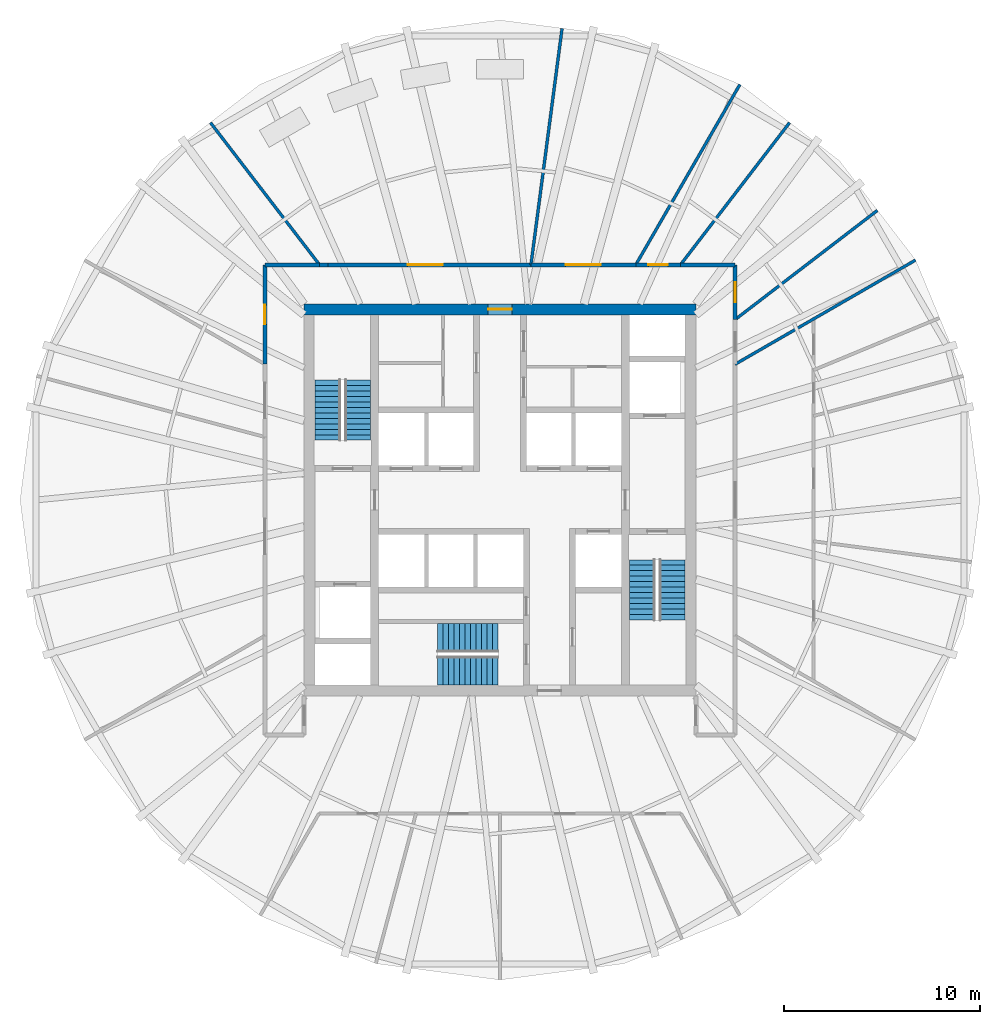
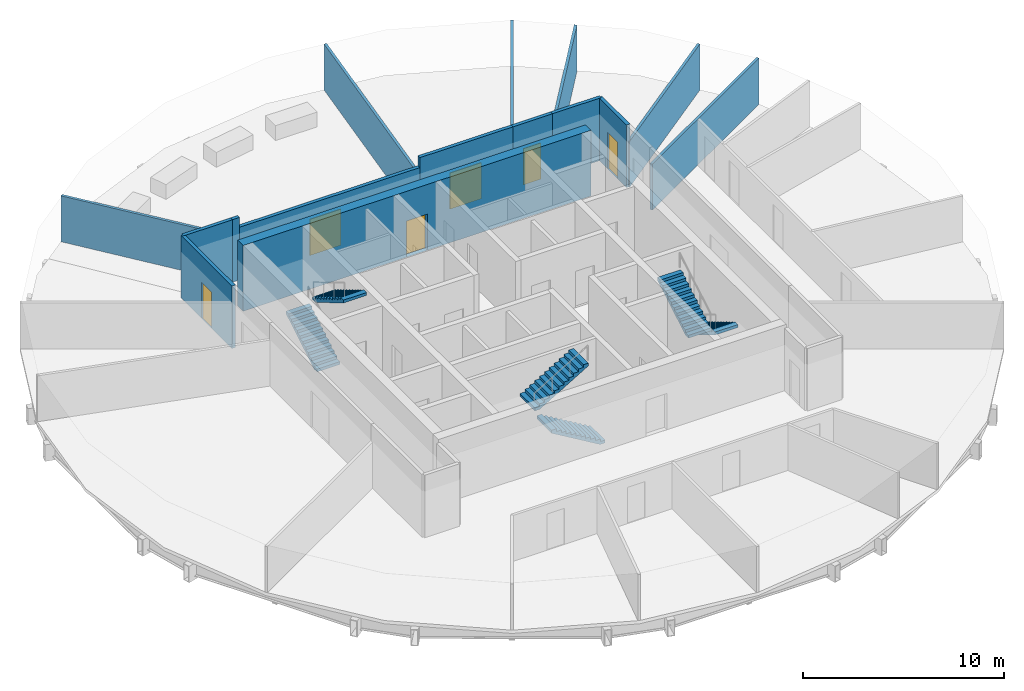
# One storey, part 5 of 7: 15 walls, 6 doors, 6 stair flights, 6 openings, 3 elements without a shape of their own.
"""IFC4 building model written with IfcOpenShell, lengths in metres."""

from ifc_helpers import new_model, si_unit, direction, frame, frame_2d, origin, place, context, subcontext, project, spatial, polyline, rectangle, outline, extrude, material, layer, layer_set, type_object, element, fill, aggregate, save


model = new_model("IFC4")

# Units and contexts
model_context = context("Model", 3, precision=1e-05, world=origin(), true_north=direction((0.0, 1.0)))
body_context = subcontext(model_context, "Body", "Model", "MODEL_VIEW")
ifc_project = project(units=[si_unit("LENGTHUNIT", "METRE"), si_unit("AREAUNIT", "SQUARE_METRE"), si_unit("VOLUMEUNIT", "CUBIC_METRE"), si_unit("PLANEANGLEUNIT", "RADIAN"), si_unit("MASSUNIT", "GRAM", prefix="KILO")], contexts=[model_context])

# Site, building, storey
site_placement = place(None, origin())
site = spatial("IfcSite", under=ifc_project, at=site_placement, CompositionType="ELEMENT")
building_placement = place(site_placement, origin())
building = spatial("IfcBuilding", under=site, at=building_placement, Name="Golbaran Civic Tower", CompositionType="ELEMENT")
storey_placement = place(building_placement, frame((0.0, 0.0, 106.0)))
storey = spatial("IfcBuildingStorey", under=building, at=storey_placement, Name="L25", CompositionType="ELEMENT", Elevation=106.0)

# Wall, opening, door
ifc_material_1 = material(Name="Concrete C50/60", Category="concrete")
ifc_layer_1 = layer(ifc_material_1, 0.550048828125, Name="Concrete C50/60")
ifc_layer_set_1 = layer_set([ifc_layer_1], Name="Concrete C50/60")
wall_type_1 = type_object("IfcWallType", Name="CORE WALL CONCRETE 550", PredefinedType="SOLIDWALL", material=ifc_layer_set_1)
wall_1_placement = place(storey_placement, frame((-10.0, 9.72509765625, 0.0), z_axis=(0.0, 0.0, 1.0), x_axis=(1.0, 0.0, 0.0)))
wall_1 = element("IfcWall", 1, at=wall_1_placement, inside=storey, type_object=wall_type_1, Name="Core wall CN L25", PredefinedType="SOLIDWALL", context=body_context, shape_type="SweptSolid", body=[
    extrude(rectangle(XDim=20.0, YDim=0.550048828125, at=frame_2d((10.0, 0.0))), origin(), (0.0, 0.0, 1.0), 4.0),
])
opening_1_placement = place(wall_1_placement, frame((9.39990234375, 0.0, 0.0)))
opening_1 = element("IfcOpeningElement", 2, at=opening_1_placement, cuts=wall_1, Name="Opening L25.CN", PredefinedType="OPENING", context=body_context, shape_type="SweptSolid", body=[
    extrude(rectangle(XDim=1.199951171875, YDim=2.199951171875, at=frame_2d((0.60009765625, 1.10009765625))), frame((0.0, 0.284912109375, 0.0), z_axis=(0.0, -1.0, 0.0), x_axis=(1.0, 0.0, 0.0)), (0.0, 0.0, 1.0), 0.570068359375),
])
ifc_material_2 = material(Name="Timber door set in steel frame", Category="steel")
door_type_1 = type_object("IfcDoorType", Name="CORE DOOR 1200x2200", OperationType="DOUBLE_DOOR_SINGLE_SWING", PredefinedType="DOOR", material=ifc_material_2)
door_1_placement = place(opening_1_placement, origin())
door_1 = element("IfcDoor", 3, at=door_1_placement, inside=storey, type_object=door_type_1, Name="Core door north", OperationType="DOUBLE_DOOR_SINGLE_SWING", OverallHeight=2.199951171875, OverallWidth=1.199951171875, PredefinedType="DOOR", context=body_context, shape_type="SweptSolid", body=[
    extrude(rectangle(XDim=1.199951171875, YDim=2.199951171875, at=frame_2d((0.60009765625, 1.10009765625))), frame((0.0, 0.02490234375, 0.0), z_axis=(0.0, -1.0, 0.0), x_axis=(1.0, 0.0, 0.0)), (0.0, 0.0, 1.0), 0.050048828125),
])
fill(opening_1, door_1)

ifc_material_3 = material(Name="Gypsum board on steel studs, fire-rated", Category="steel")
ifc_layer_2 = layer(ifc_material_3, 0.199951171875, Name="Gypsum board on steel studs, fire-rated")
ifc_layer_set_2 = layer_set([ifc_layer_2], Name="Gypsum board on steel studs, fire-rated")
wall_type_2 = type_object("IfcWallType", Name="CORRIDOR WALL 200", PredefinedType="PARTITIONING", material=ifc_layer_set_2)
wall_2_placement = place(storey_placement, frame((12.0, 9.2080078125, 0.0), z_axis=(0.0, 0.0, 1.0), x_axis=(0.0, 1.0, 0.0)))
wall_2 = element("IfcWall", 4, at=wall_2_placement, inside=storey, type_object=wall_type_2, Name="Corridor wall L25", PredefinedType="PARTITIONING", context=body_context, shape_type="SweptSolid", body=[
    extrude(rectangle(XDim=2.7919921875, YDim=0.199951171875, at=frame_2d((1.39599609375, 0.0))), origin(), (0.0, 0.0, 1.0), 3.800048828125),
])
opening_2_placement = place(wall_2_placement, frame((0.89599609375, 0.0, 0.0)))
opening_2 = element("IfcOpeningElement", 5, at=opening_2_placement, cuts=wall_2, Name="Opening L25.12", PredefinedType="OPENING", context=body_context, shape_type="SweptSolid", body=[
    extrude(rectangle(XDim=1.0, YDim=2.199951171875, at=frame_2d((0.5, 1.10009765625))), frame((0.0, 0.10986328125, 0.0), z_axis=(0.0, -1.0, 0.0), x_axis=(1.0, 0.0, 0.0)), (0.0, 0.0, 1.0), 0.219970703125),
])
door_type_2 = type_object("IfcDoorType", Name="OFFICE DOOR 1000x2200", OperationType="SINGLE_SWING_LEFT", PredefinedType="DOOR", material=ifc_material_2)
door_2_placement = place(opening_2_placement, origin())
door_2 = element("IfcDoor", 6, at=door_2_placement, inside=storey, type_object=door_type_2, Name="Prayer Room door L25", OperationType="SINGLE_SWING_LEFT", OverallHeight=2.199951171875, OverallWidth=1.0, PredefinedType="DOOR", context=body_context, shape_type="SweptSolid", body=[
    extrude(rectangle(XDim=1.0, YDim=2.199951171875, at=frame_2d((0.5, 1.10009765625))), frame((0.0, 0.02490234375, 0.0), z_axis=(0.0, -1.0, 0.0), x_axis=(1.0, 0.0, 0.0)), (0.0, 0.0, 1.0), 0.050048828125),
])
fill(opening_2, door_2)

# Wall
wall_3_placement = place(storey_placement, frame((12.0, 12.0, 0.0), z_axis=(0.0, 0.0, 1.0), x_axis=(-1.0, 0.0, 0.0)))
element("IfcWall", 7, at=wall_3_placement, inside=storey, type_object=wall_type_2, Name="Corridor wall L25", PredefinedType="PARTITIONING", context=body_context, shape_type="SweptSolid", body=[
    extrude(rectangle(XDim=2.7919921875, YDim=0.199951171875, at=frame_2d((1.39599609375, 0.0))), origin(), (0.0, 0.0, 1.0), 3.800048828125),
])

# Wall, opening, door
wall_4_placement = place(storey_placement, frame((9.2080078125, 12.0, 0.0), z_axis=(0.0, 0.0, 1.0), x_axis=(-1.0, 0.0, 0.0)))
wall_4 = element("IfcWall", 8, at=wall_4_placement, inside=storey, type_object=wall_type_2, Name="Corridor wall L25", PredefinedType="PARTITIONING", context=body_context, shape_type="SweptSolid", body=[
    extrude(rectangle(XDim=2.27978515625, YDim=0.199951171875, at=frame_2d((1.139892578125, 0.0))), origin(), (0.0, 0.0, 1.0), 3.800048828125),
])
opening_3_placement = place(wall_4_placement, frame((0.639892578125, 0.0, 0.0)))
opening_3 = element("IfcOpeningElement", 9, at=opening_3_placement, cuts=wall_4, Name="Opening L25.13", PredefinedType="OPENING", context=body_context, shape_type="SweptSolid", body=[
    extrude(rectangle(XDim=1.0, YDim=2.199951171875, at=frame_2d((0.5, 1.10009765625))), frame((0.0, 0.10986328125, 0.0), z_axis=(0.0, -1.0, 0.0), x_axis=(1.0, 0.0, 0.0)), (0.0, 0.0, 1.0), 0.219970703125),
])
door_3_placement = place(opening_3_placement, origin())
door_3 = element("IfcDoor", 10, at=door_3_placement, inside=storey, type_object=door_type_2, Name="Store door L25", OperationType="SINGLE_SWING_RIGHT", OverallHeight=2.199951171875, OverallWidth=1.0, PredefinedType="DOOR", context=body_context, shape_type="SweptSolid", body=[
    extrude(rectangle(XDim=1.0, YDim=2.199951171875, at=frame_2d((0.5, 1.10009765625))), frame((0.0, 0.02490234375, 0.0), z_axis=(0.0, -1.0, 0.0), x_axis=(1.0, 0.0, 0.0)), (0.0, 0.0, 1.0), 0.050048828125),
])
fill(opening_3, door_3)

wall_5_placement = place(storey_placement, frame((6.92822265625, 12.0, 0.0), z_axis=(0.0, 0.0, 1.0), x_axis=(-1.0, 0.0, 0.0)))
wall_5 = element("IfcWall", 11, at=wall_5_placement, inside=storey, type_object=wall_type_2, Name="Corridor wall L25", PredefinedType="PARTITIONING", context=body_context, shape_type="SweptSolid", body=[
    extrude(rectangle(XDim=5.348876953125, YDim=0.199951171875, at=frame_2d((2.67431640625, 0.0))), origin(), (0.0, 0.0, 1.0), 3.800048828125),
])
opening_4_placement = place(wall_5_placement, frame((1.7744140625, 0.0, 0.0)))
opening_4 = element("IfcOpeningElement", 12, at=opening_4_placement, cuts=wall_5, Name="Opening L25.14", PredefinedType="OPENING", context=body_context, shape_type="SweptSolid", body=[
    extrude(rectangle(XDim=1.800048828125, YDim=2.199951171875, at=frame_2d((0.89990234375, 1.10009765625))), frame((0.0, 0.10986328125, 0.0), z_axis=(0.0, -1.0, 0.0), x_axis=(1.0, 0.0, 0.0)), (0.0, 0.0, 1.0), 0.219970703125),
])
door_type_3 = type_object("IfcDoorType", Name="OFFICE DOUBLE DOOR 1800x2200", OperationType="DOUBLE_DOOR_SINGLE_SWING", PredefinedType="DOOR", material=ifc_material_2)
door_4_placement = place(opening_4_placement, origin())
door_4 = element("IfcDoor", 13, at=door_4_placement, inside=storey, type_object=door_type_3, Name="Staff Lounge door L25", OperationType="DOUBLE_DOOR_SINGLE_SWING", OverallHeight=2.199951171875, OverallWidth=1.800048828125, PredefinedType="DOOR", context=body_context, shape_type="SweptSolid", body=[
    extrude(rectangle(XDim=1.800048828125, YDim=2.199951171875, at=frame_2d((0.89990234375, 1.10009765625))), frame((0.0, 0.02490234375, 0.0), z_axis=(0.0, -1.0, 0.0), x_axis=(1.0, 0.0, 0.0)), (0.0, 0.0, 1.0), 0.050048828125),
])
fill(opening_4, door_4)

wall_6_placement = place(storey_placement, frame((1.579345703125, 12.0, 0.0), z_axis=(0.0, 0.0, 1.0), x_axis=(-1.0, 0.0, 0.0)))
wall_6 = element("IfcWall", 14, at=wall_6_placement, inside=storey, type_object=wall_type_2, Name="Corridor wall L25", PredefinedType="PARTITIONING", context=body_context, shape_type="SweptSolid", body=[
    extrude(rectangle(XDim=10.363037109375, YDim=0.199951171875, at=frame_2d((5.181640625, 0.0))), origin(), (0.0, 0.0, 1.0), 3.199951171875),
])
opening_5_placement = place(wall_6_placement, frame((4.493408203125, 0.0, 0.0)))
opening_5 = element("IfcOpeningElement", 15, at=opening_5_placement, cuts=wall_6, Name="Opening L25.15", PredefinedType="OPENING", context=body_context, shape_type="SweptSolid", body=[
    extrude(rectangle(XDim=1.800048828125, YDim=2.199951171875, at=frame_2d((0.89990234375, 1.10009765625))), frame((0.0, 0.10986328125, 0.0), z_axis=(0.0, -1.0, 0.0), x_axis=(1.0, 0.0, 0.0)), (0.0, 0.0, 1.0), 0.219970703125),
])
door_5_placement = place(opening_5_placement, origin())
door_5 = element("IfcDoor", 16, at=door_5_placement, inside=storey, type_object=door_type_3, Name="Sky Garden door L25", OperationType="DOUBLE_DOOR_SINGLE_SWING", OverallHeight=2.199951171875, OverallWidth=1.800048828125, PredefinedType="DOOR", context=body_context, shape_type="SweptSolid", body=[
    extrude(rectangle(XDim=1.800048828125, YDim=2.199951171875, at=frame_2d((0.89990234375, 1.10009765625))), frame((0.0, 0.02490234375, 0.0), z_axis=(0.0, -1.0, 0.0), x_axis=(1.0, 0.0, 0.0)), (0.0, 0.0, 1.0), 0.050048828125),
])
fill(opening_5, door_5)

# Walls
wall_7_placement = place(storey_placement, frame((-8.78369140625, 12.0, 0.0), z_axis=(0.0, 0.0, 1.0), x_axis=(-1.0, 0.0, 0.0)))
element("IfcWall", 17, at=wall_7_placement, inside=storey, type_object=wall_type_2, Name="Corridor wall L25 (part 2)", PredefinedType="PARTITIONING", context=body_context, shape_type="SweptSolid", body=[
    extrude(rectangle(XDim=0.423583984375, YDim=0.199951171875, at=frame_2d((0.2119140625, 0.0))), origin(), (0.0, 0.0, 1.0), 3.800048828125),
])
wall_8_placement = place(storey_placement, frame((-9.207275390625, 12.0, 0.0), z_axis=(0.0, 0.0, 1.0), x_axis=(-1.0, 0.0, 0.0)))
element("IfcWall", 18, at=wall_8_placement, inside=storey, type_object=wall_type_2, Name="Corridor wall L25", PredefinedType="PARTITIONING", context=body_context, shape_type="SweptSolid", body=[
    extrude(rectangle(XDim=2.792724609375, YDim=0.199951171875, at=frame_2d((1.396484375, 0.0))), origin(), (0.0, 0.0, 1.0), 3.800048828125),
])

# Wall, opening, door
wall_9_placement = place(storey_placement, frame((-12.0, 12.0, 0.0), z_axis=(0.0, 0.0, 1.0), x_axis=(0.0, -1.0, 0.0)))
wall_9 = element("IfcWall", 19, at=wall_9_placement, inside=storey, type_object=wall_type_2, Name="Corridor wall L25", PredefinedType="PARTITIONING", context=body_context, shape_type="SweptSolid", body=[
    extrude(rectangle(XDim=5.07177734375, YDim=0.199951171875, at=frame_2d((2.535888671875, 0.0))), origin(), (0.0, 0.0, 1.0), 3.800048828125),
])
opening_6_placement = place(wall_9_placement, frame((2.035888671875, 0.0, 0.0)))
opening_6 = element("IfcOpeningElement", 20, at=opening_6_placement, cuts=wall_9, Name="Opening L25.16", PredefinedType="OPENING", context=body_context, shape_type="SweptSolid", body=[
    extrude(rectangle(XDim=1.0, YDim=2.199951171875, at=frame_2d((0.5, 1.10009765625))), frame((0.0, 0.10986328125, 0.0), z_axis=(0.0, -1.0, 0.0), x_axis=(1.0, 0.0, 0.0)), (0.0, 0.0, 1.0), 0.219970703125),
])
door_6_placement = place(opening_6_placement, origin())
door_6 = element("IfcDoor", 21, at=door_6_placement, inside=storey, type_object=door_type_2, Name="Prayer Room door L25", OperationType="SINGLE_SWING_RIGHT", OverallHeight=2.199951171875, OverallWidth=1.0, PredefinedType="DOOR", context=body_context, shape_type="SweptSolid", body=[
    extrude(rectangle(XDim=1.0, YDim=2.199951171875, at=frame_2d((0.5, 1.10009765625))), frame((0.0, 0.02490234375, 0.0), z_axis=(0.0, -1.0, 0.0), x_axis=(1.0, 0.0, 0.0)), (0.0, 0.0, 1.0), 0.050048828125),
])
fill(opening_6, door_6)

# Walls
ifc_material_4 = material(Name="Gypsum board on steel studs", Category="steel")
ifc_layer_3 = layer(ifc_material_4, 0.14990234375, Name="Gypsum board on steel studs")
ifc_layer_set_3 = layer_set([ifc_layer_3], Name="Gypsum board on steel studs")
wall_type_3 = type_object("IfcWallType", Name="OFFICE PARTITION 150", PredefinedType="PARTITIONING", material=ifc_layer_set_3)
wall_10_placement = place(storey_placement, frame((12.0, 6.92822265625, 0.0), z_axis=(0.0, 0.0, 1.0), x_axis=(0.866024197053, 0.500002090115, 0.0)))
element("IfcWall", 22, at=wall_10_placement, inside=storey, type_object=wall_type_3, Name="Partition 30 L25", PredefinedType="PARTITIONING", context=body_context, shape_type="SweptSolid", body=[
    extrude(rectangle(XDim=10.630859375, YDim=0.14990234375, at=frame_2d((5.3154296875, 0.0))), origin(), (0.0, 0.0, 1.0), 2.7900390625),
])
for number, where, z_axis, x_axis, name in (
    (23, (12.0, 9.2080078125, 0.0), (0.0, 0.0, 1.0), (0.793357264949, 0.608756314261, 0.0), "Partition 37.5 L25"),
    (24, (9.2080078125, 12.0, 0.0), (0.0, 0.0, 1.0), (0.608756314261, 0.793357264949, 0.0), "Partition 52.5 L25"),
):
    element("IfcWall", number, at=place(storey_placement, frame(where, z_axis=z_axis, x_axis=x_axis)), inside=storey, type_object=wall_type_3, Name=name, PredefinedType="PARTITIONING", context=body_context, shape_type="SweptSolid", body=[
        extrude(rectangle(XDim=9.15185546875, YDim=0.14990234375, at=frame_2d((4.575927734375, 0.0))), origin(), (0.0, 0.0, 1.0), 2.7900390625),
    ])
wall_11_placement = place(storey_placement, frame((6.92822265625, 12.0, 0.0), z_axis=(0.0, 0.0, 1.0), x_axis=(0.500002090115, 0.866024197053, 0.0)))
element("IfcWall", 25, at=wall_11_placement, inside=storey, type_object=wall_type_3, Name="Partition 60 L25", PredefinedType="PARTITIONING", context=body_context, shape_type="SweptSolid", body=[
    extrude(rectangle(XDim=10.630859375, YDim=0.14990234375, at=frame_2d((5.3154296875, 0.0))), origin(), (0.0, 0.0, 1.0), 2.7900390625),
])
wall_12_placement = place(storey_placement, frame((1.579345703125, 12.0, 0.0), z_axis=(0.0, 0.0, 1.0), x_axis=(0.130511056559, 0.991446853904, 0.0)))
element("IfcWall", 26, at=wall_12_placement, inside=storey, type_object=wall_type_3, Name="Partition 82.5018 L25", PredefinedType="PARTITIONING", context=body_context, shape_type="SweptSolid", body=[
    extrude(rectangle(XDim=12.17431640625, YDim=0.14990234375, at=frame_2d((6.087158203125, 0.0))), origin(), (0.0, 0.0, 1.0), 2.7900390625),
])
wall_13_placement = place(storey_placement, frame((-9.207275390625, 12.0, 0.0), z_axis=(0.0, 0.0, 1.0), x_axis=(-0.608747337947, 0.793364152544, 0.0)))
element("IfcWall", 27, at=wall_13_placement, inside=storey, type_object=wall_type_3, Name="Partition 127.498 L25", PredefinedType="PARTITIONING", context=body_context, shape_type="SweptSolid", body=[
    extrude(rectangle(XDim=9.15234375, YDim=0.14990234375, at=frame_2d((4.576171875, 0.0))), origin(), (0.0, 0.0, 1.0), 2.7900390625),
])

# Stair, stair flights
ifc_material_5 = material(Name="Concrete C35/45", Category="concrete")
stair_type_1 = type_object("IfcStairType", Name="EXIT STAIR 2850 x 7700, 4000 RISE", PredefinedType="HALF_TURN_STAIR", material=ifc_material_5)
stair_1_placement = place(storey_placement, origin())
stair_1 = element("IfcStair", 28, at=stair_1_placement, inside=storey, type_object=stair_type_1, Name="Stair S1 L25", PredefinedType="HALF_TURN_STAIR")
stair_flight_type_1 = type_object("IfcStairFlightType", Name="STAIR FLIGHT 1325 WIDE", PredefinedType="STRAIGHT", material=ifc_material_5)
stair_flight_1_placement = place(storey_placement, frame((-8.78759765625, 3.050048828125, 0.0), z_axis=(0.0, 0.0, 1.0), x_axis=(0.0, 1.0, 0.0)))
stair_flight_1 = element("IfcStairFlight", 29, at=stair_flight_1_placement, type_object=stair_flight_type_1, Name="ST28577-40 flight 1", NumberOfRisers=12, NumberOfTreads=11, PredefinedType="STRAIGHT", RiserHeight=0.166666667, TreadLength=0.28, context=body_context, shape_type="SweptSolid", body=[
    extrude(outline(polyline([(0.0, 0.0), (0.0, 0.166748046875), (0.280029296875, 0.166748046875), (0.280029296875, 0.333251953125), (0.56005859375, 0.333251953125), (0.56005859375, 0.5), (0.840087890625, 0.5), (0.840087890625, 0.666748046875), (1.1201171875, 0.666748046875), (1.1201171875, 0.833251953125), (1.39990234375, 0.833251953125), (1.39990234375, 1.0), (1.679931640625, 1.0), (1.679931640625, 1.166748046875), (1.9599609375, 1.166748046875), (1.9599609375, 1.333251953125), (2.239990234375, 1.333251953125), (2.239990234375, 1.5), (2.52001953125, 1.5), (2.52001953125, 1.666748046875), (2.800048828125, 1.666748046875), (2.800048828125, 1.833251953125), (3.080078125, 1.833251953125), (3.080078125, 2.0), (3.080078125, 1.658935546875), (0.29296875, 0.0), (0.0, 0.0)])), frame((0.0, 0.66259765625, 0.0), z_axis=(0.0, -1.0, 0.0), x_axis=(1.0, 0.0, 0.0)), (0.0, 0.0, 1.0), 1.324951171875),
])
stair_flight_2_placement = place(storey_placement, frame((-7.262451171875, 6.1298828125, 2.0), z_axis=(0.0, 0.0, 1.0), x_axis=(0.0, -1.0, 0.0)))
stair_flight_2 = element("IfcStairFlight", 30, at=stair_flight_2_placement, type_object=stair_flight_type_1, Name="ST28577-40 flight 2", NumberOfRisers=12, NumberOfTreads=11, PredefinedType="STRAIGHT", RiserHeight=0.166666667, TreadLength=0.28, context=body_context, shape_type="SweptSolid", body=[
    extrude(outline(polyline([(0.0, 0.0), (0.0, 0.166748046875), (0.280029296875, 0.166748046875), (0.280029296875, 0.333251953125), (0.56005859375, 0.333251953125), (0.56005859375, 0.5), (0.840087890625, 0.5), (0.840087890625, 0.666748046875), (1.1201171875, 0.666748046875), (1.1201171875, 0.833251953125), (1.39990234375, 0.833251953125), (1.39990234375, 1.0), (1.679931640625, 1.0), (1.679931640625, 1.166748046875), (1.9599609375, 1.166748046875), (1.9599609375, 1.333251953125), (2.239990234375, 1.333251953125), (2.239990234375, 1.5), (2.52001953125, 1.5), (2.52001953125, 1.666748046875), (2.800048828125, 1.666748046875), (2.800048828125, 1.833251953125), (3.080078125, 1.833251953125), (3.080078125, 2.0), (3.080078125, 1.658935546875), (0.29296875, 0.0), (0.0, 0.0)])), frame((0.0, 0.66259765625, 0.0), z_axis=(0.0, -1.0, 0.0), x_axis=(1.0, 0.0, 0.0)), (0.0, 0.0, 1.0), 1.324951171875),
])
aggregate(stair_1, [stair_flight_1, stair_flight_2])

stair_2_placement = place(storey_placement, origin())
stair_2 = element("IfcStair", 31, at=stair_2_placement, inside=storey, type_object=stair_type_1, Name="Stair S2 L25", PredefinedType="HALF_TURN_STAIR")
stair_flight_3_placement = place(storey_placement, frame((8.78759765625, -3.050048828125, 0.0), z_axis=(0.0, 0.0, 1.0), x_axis=(0.0, -1.0, 0.0)))
stair_flight_3 = element("IfcStairFlight", 32, at=stair_flight_3_placement, type_object=stair_flight_type_1, Name="ST28577-40 flight 1", NumberOfRisers=12, NumberOfTreads=11, PredefinedType="STRAIGHT", RiserHeight=0.166666667, TreadLength=0.28, context=body_context, shape_type="SweptSolid", body=[
    extrude(outline(polyline([(0.0, 0.0), (0.0, 0.166748046875), (0.280029296875, 0.166748046875), (0.280029296875, 0.333251953125), (0.56005859375, 0.333251953125), (0.56005859375, 0.5), (0.840087890625, 0.5), (0.840087890625, 0.666748046875), (1.1201171875, 0.666748046875), (1.1201171875, 0.833251953125), (1.39990234375, 0.833251953125), (1.39990234375, 1.0), (1.679931640625, 1.0), (1.679931640625, 1.166748046875), (1.9599609375, 1.166748046875), (1.9599609375, 1.333251953125), (2.239990234375, 1.333251953125), (2.239990234375, 1.5), (2.52001953125, 1.5), (2.52001953125, 1.666748046875), (2.800048828125, 1.666748046875), (2.800048828125, 1.833251953125), (3.080078125, 1.833251953125), (3.080078125, 2.0), (3.080078125, 1.658935546875), (0.29296875, 0.0), (0.0, 0.0)])), frame((0.0, 0.66259765625, 0.0), z_axis=(0.0, -1.0, 0.0), x_axis=(1.0, 0.0, 0.0)), (0.0, 0.0, 1.0), 1.324951171875),
])
stair_flight_4_placement = place(storey_placement, frame((7.262451171875, -6.1298828125, 2.0), z_axis=(0.0, 0.0, 1.0), x_axis=(0.0, 1.0, 0.0)))
stair_flight_4 = element("IfcStairFlight", 33, at=stair_flight_4_placement, type_object=stair_flight_type_1, Name="ST28577-40 flight 2", NumberOfRisers=12, NumberOfTreads=11, PredefinedType="STRAIGHT", RiserHeight=0.166666667, TreadLength=0.28, context=body_context, shape_type="SweptSolid", body=[
    extrude(outline(polyline([(0.0, 0.0), (0.0, 0.166748046875), (0.280029296875, 0.166748046875), (0.280029296875, 0.333251953125), (0.56005859375, 0.333251953125), (0.56005859375, 0.5), (0.840087890625, 0.5), (0.840087890625, 0.666748046875), (1.1201171875, 0.666748046875), (1.1201171875, 0.833251953125), (1.39990234375, 0.833251953125), (1.39990234375, 1.0), (1.679931640625, 1.0), (1.679931640625, 1.166748046875), (1.9599609375, 1.166748046875), (1.9599609375, 1.333251953125), (2.239990234375, 1.333251953125), (2.239990234375, 1.5), (2.52001953125, 1.5), (2.52001953125, 1.666748046875), (2.800048828125, 1.666748046875), (2.800048828125, 1.833251953125), (3.080078125, 1.833251953125), (3.080078125, 2.0), (3.080078125, 1.658935546875), (0.29296875, 0.0), (0.0, 0.0)])), frame((0.0, 0.66259765625, 0.0), z_axis=(0.0, -1.0, 0.0), x_axis=(1.0, 0.0, 0.0)), (0.0, 0.0, 1.0), 1.324951171875),
])
aggregate(stair_2, [stair_flight_3, stair_flight_4])

stair_type_2 = type_object("IfcStairType", Name="EXIT STAIR 3150 x 7400, 4000 RISE", PredefinedType="HALF_TURN_STAIR", material=ifc_material_5)
stair_3_placement = place(storey_placement, origin())
stair_3 = element("IfcStair", 34, at=stair_3_placement, inside=storey, type_object=stair_type_2, Name="Stair S3 L25", PredefinedType="HALF_TURN_STAIR")
stair_flight_type_2 = type_object("IfcStairFlightType", Name="STAIR FLIGHT 1475 WIDE", PredefinedType="STRAIGHT", material=ifc_material_5)
stair_flight_5_placement = place(storey_placement, frame((-0.10009765625, -8.71240234375, 0.0), z_axis=(0.0, 0.0, 1.0), x_axis=(-1.0, 0.0, 0.0)))
stair_flight_5 = element("IfcStairFlight", 35, at=stair_flight_5_placement, type_object=stair_flight_type_2, Name="ST31574-40 flight 1", NumberOfRisers=12, NumberOfTreads=11, PredefinedType="STRAIGHT", RiserHeight=0.166666667, TreadLength=0.28, context=body_context, shape_type="SweptSolid", body=[
    extrude(outline(polyline([(0.0, 0.0), (0.0, 0.166748046875), (0.280029296875, 0.166748046875), (0.280029296875, 0.333251953125), (0.56005859375, 0.333251953125), (0.56005859375, 0.5), (0.840087890625, 0.5), (0.840087890625, 0.666748046875), (1.1201171875, 0.666748046875), (1.1201171875, 0.833251953125), (1.39990234375, 0.833251953125), (1.39990234375, 1.0), (1.679931640625, 1.0), (1.679931640625, 1.166748046875), (1.9599609375, 1.166748046875), (1.9599609375, 1.333251953125), (2.239990234375, 1.333251953125), (2.239990234375, 1.5), (2.52001953125, 1.5), (2.52001953125, 1.666748046875), (2.800048828125, 1.666748046875), (2.800048828125, 1.833251953125), (3.080078125, 1.833251953125), (3.080078125, 2.0), (3.080078125, 1.658935546875), (0.29296875, 0.0), (0.0, 0.0)])), frame((0.0, 0.737548828125, 0.0), z_axis=(0.0, -1.0, 0.0), x_axis=(1.0, 0.0, 0.0)), (0.0, 0.0, 1.0), 1.47509765625),
])
stair_flight_6_placement = place(storey_placement, frame((-3.179931640625, -7.03759765625, 2.0), z_axis=(0.0, 0.0, 1.0), x_axis=(1.0, 0.0, 0.0)))
stair_flight_6 = element("IfcStairFlight", 36, at=stair_flight_6_placement, type_object=stair_flight_type_2, Name="ST31574-40 flight 2", NumberOfRisers=12, NumberOfTreads=11, PredefinedType="STRAIGHT", RiserHeight=0.166666667, TreadLength=0.28, context=body_context, shape_type="SweptSolid", body=[
    extrude(outline(polyline([(0.0, 0.0), (0.0, 0.166748046875), (0.280029296875, 0.166748046875), (0.280029296875, 0.333251953125), (0.56005859375, 0.333251953125), (0.56005859375, 0.5), (0.840087890625, 0.5), (0.840087890625, 0.666748046875), (1.1201171875, 0.666748046875), (1.1201171875, 0.833251953125), (1.39990234375, 0.833251953125), (1.39990234375, 1.0), (1.679931640625, 1.0), (1.679931640625, 1.166748046875), (1.9599609375, 1.166748046875), (1.9599609375, 1.333251953125), (2.239990234375, 1.333251953125), (2.239990234375, 1.5), (2.52001953125, 1.5), (2.52001953125, 1.666748046875), (2.800048828125, 1.666748046875), (2.800048828125, 1.833251953125), (3.080078125, 1.833251953125), (3.080078125, 2.0), (3.080078125, 1.658935546875), (0.29296875, 0.0), (0.0, 0.0)])), frame((0.0, 0.737548828125, 0.0), z_axis=(0.0, -1.0, 0.0), x_axis=(1.0, 0.0, 0.0)), (0.0, 0.0, 1.0), 1.47509765625),
])
aggregate(stair_3, [stair_flight_5, stair_flight_6])

save(model, "model.ifc")
